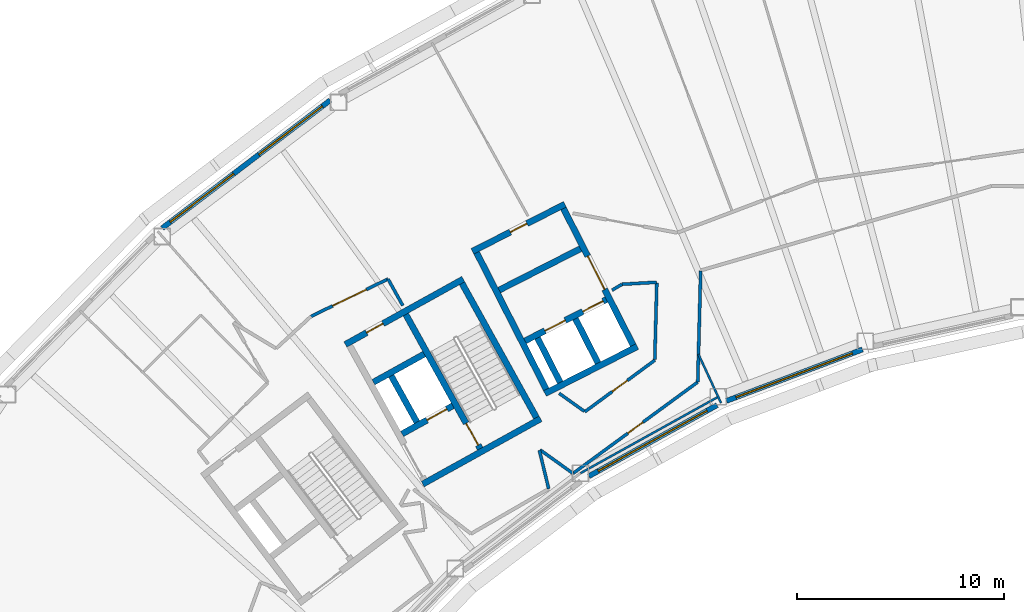
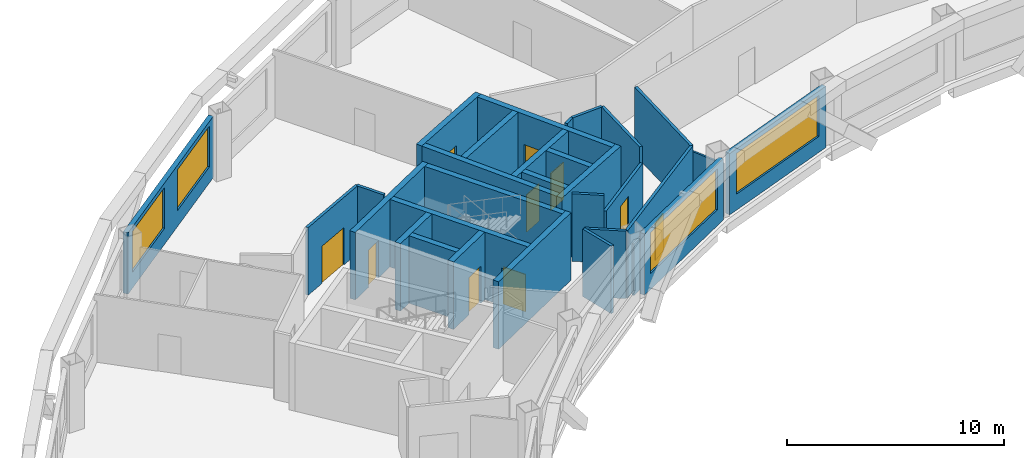
# One storey, part 6 of 18: 31 walls, 10 doors, 4 windows, 14 openings.
"""IFC4 building model written with IfcOpenShell, lengths in metres."""

from ifc_helpers import new_model, si_unit, direction, frame, frame_2d, origin, place, context, subcontext, project, spatial, rectangle, extrude, material, layer, layer_set, type_object, element, fill, save


model = new_model("IFC4")

# Units and contexts
model_context = context("Model", 3, precision=1e-05, world=origin(), true_north=direction((0.0, 1.0)))
body_context = subcontext(model_context, "Body", "Model", "MODEL_VIEW")
ifc_project = project(units=[si_unit("LENGTHUNIT", "METRE"), si_unit("AREAUNIT", "SQUARE_METRE"), si_unit("VOLUMEUNIT", "CUBIC_METRE"), si_unit("PLANEANGLEUNIT", "RADIAN"), si_unit("MASSUNIT", "GRAM", prefix="KILO")], contexts=[model_context])

# Site, building, storey
site_placement = place(None, origin())
site = spatial("IfcSite", under=ifc_project, at=site_placement, CompositionType="ELEMENT")
building_placement = place(site_placement, origin())
building = spatial("IfcBuilding", under=site, at=building_placement, Name="Tuul Gate Civic Tower", CompositionType="ELEMENT")
storey_placement = place(building_placement, frame((0.0, 0.0, 234.699951171875)))
storey = spatial("IfcBuildingStorey", under=building, at=storey_placement, Name="Level 53", CompositionType="ELEMENT", Elevation=234.699951171875)

# Wall
ifc_material_1 = material(Name="Concrete C50/60", Category="concrete")
ifc_layer_1 = layer(ifc_material_1, 0.300048828125)
ifc_layer_set_1 = layer_set([ifc_layer_1], Name="Concrete C50/60")
wall_type_1 = type_object("IfcWallType", Name="Core wall C50/60", PredefinedType="SHEAR", material=ifc_layer_set_1)
wall_1_placement = place(storey_placement, frame((-24.711669921875, -8.7158203125, 0.0), z_axis=(0.0, 0.0, 1.0), x_axis=(-0.874629909008, -0.484791215132, 0.0)))
element("IfcWall", 1, at=wall_1_placement, inside=storey, type_object=wall_type_1, Name="Core wall", PredefinedType="SHEAR", context=body_context, shape_type="SweptSolid", body=[
    extrude(rectangle(XDim=6.5, YDim=0.300048828125, at=frame_2d((3.25, 0.0))), origin(), (0.0, 0.0, 1.0), 3.800048828125),
])

# Wall, opening, door
wall_2_placement = place(storey_placement, frame((-28.94580078125, -8.090087890625, 0.0), z_axis=(0.0, 0.0, 1.0), x_axis=(-0.874629840737, -0.484791338301, 0.0)))
wall_2 = element("IfcWall", 2, at=wall_2_placement, inside=storey, type_object=wall_type_1, Name="Core wall", PredefinedType="SHEAR", context=body_context, shape_type="SweptSolid", body=[
    extrude(rectangle(XDim=2.800048828125, YDim=0.300048828125, at=frame_2d((1.39990234375, 0.0))), origin(), (0.0, 0.0, 1.0), 3.800048828125),
])
opening_1_placement = place(wall_2_placement, frame((0.324951171875, 0.0, 0.0)))
opening_1 = element("IfcOpeningElement", 3, at=opening_1_placement, cuts=wall_2, Name="Opening LD-FF-1", PredefinedType="OPENING", context=body_context, shape_type="SweptSolid", body=[
    extrude(rectangle(XDim=1.10009765625, YDim=2.10009765625, at=frame_2d((0.550048828125, 1.050048828125))), frame((0.0, 0.16015625, 0.0), z_axis=(0.0, -1.0, 0.0), x_axis=(1.0, 0.0, 0.0)), (0.0, 0.0, 1.0), 0.320068359375),
])
ifc_material_2 = material(Name="Stainless steel", Category="steel")
door_type_1 = type_object("IfcDoorType", Name="Landing door", OperationType="DOUBLE_DOOR_SLIDING", PredefinedType="DOOR", material=ifc_material_2)
door_1_placement = place(opening_1_placement, origin())
door_1 = element("IfcDoor", 4, at=door_1_placement, inside=storey, type_object=door_type_1, Name="Fire-fighting lift FF-1 landing door", OperationType="DOUBLE_DOOR_SLIDING", OverallHeight=2.10009765625, OverallWidth=1.10009765625, PredefinedType="DOOR", context=body_context, shape_type="SweptSolid", body=[
    extrude(rectangle(XDim=1.10009765625, YDim=2.10009765625, at=frame_2d((0.550048828125, 1.050048828125))), frame((0.0, 0.02490234375, 0.0), z_axis=(0.0, -1.0, 0.0), x_axis=(1.0, 0.0, 0.0)), (0.0, 0.0, 1.0), 0.050048828125),
])
fill(opening_1, door_1)

# Wall
wall_3_placement = place(storey_placement, frame((-30.327392578125, -5.59716796875, 0.0), z_axis=(0.0, 0.0, 1.0), x_axis=(-0.874629840737, -0.484791338301, 0.0)))
element("IfcWall", 5, at=wall_3_placement, inside=storey, type_object=wall_type_1, Name="Core wall", PredefinedType="SHEAR", context=body_context, shape_type="SweptSolid", body=[
    extrude(rectangle(XDim=2.800048828125, YDim=0.300048828125, at=frame_2d((1.39990234375, 0.0))), origin(), (0.0, 0.0, 1.0), 3.800048828125),
])

# Wall, opening, door
wall_4_placement = place(storey_placement, frame((-28.4443359375, -1.98095703125, 0.0), z_axis=(0.0, 0.0, 1.0), x_axis=(-0.874629909008, -0.484791215132, 0.0)))
wall_4 = element("IfcWall", 6, at=wall_4_placement, inside=storey, type_object=wall_type_1, Name="Core wall", PredefinedType="SHEAR", context=body_context, shape_type="SweptSolid", body=[
    extrude(rectangle(XDim=6.5, YDim=0.300048828125, at=frame_2d((3.25, 0.0))), origin(), (0.0, 0.0, 1.0), 3.800048828125),
])
opening_2_placement = place(wall_4_placement, frame((4.425048828125, 0.0, 0.0)))
opening_2 = element("IfcOpeningElement", 7, at=opening_2_placement, cuts=wall_4, Name="Opening S-D32", PredefinedType="OPENING", context=body_context, shape_type="SweptSolid", body=[
    extrude(rectangle(XDim=0.89990234375, YDim=2.10009765625, at=frame_2d((0.449951171875, 1.050048828125))), frame((0.0, 0.16015625, 0.0), z_axis=(0.0, -1.0, 0.0), x_axis=(1.0, 0.0, 0.0)), (0.0, 0.0, 1.0), 0.320068359375),
])
ifc_material_3 = material(Name="Timber door leaf", Category="wood")
door_type_2 = type_object("IfcDoorType", Name="Door D09", OperationType="NOTDEFINED", PredefinedType="DOOR", material=ifc_material_3)
door_2_placement = place(opening_2_placement, origin())
door_2 = element("IfcDoor", 8, at=door_2_placement, inside=storey, type_object=door_type_2, Name="Door S-D32", OperationType="SINGLE_SWING_LEFT", OverallHeight=2.10009765625, OverallWidth=0.89990234375, PredefinedType="DOOR", context=body_context, shape_type="SweptSolid", body=[
    extrude(rectangle(XDim=0.89990234375, YDim=2.10009765625, at=frame_2d((0.449951171875, 1.050048828125))), frame((0.0, 0.02490234375, 0.0), z_axis=(0.0, -1.0, 0.0), x_axis=(1.0, 0.0, 0.0)), (0.0, 0.0, 1.0), 0.050048828125),
])
fill(opening_2, door_2)

# Wall
wall_5_placement = place(storey_placement, frame((-24.91552734375, -8.6572265625, 0.0), z_axis=(0.0, 0.0, 1.0), x_axis=(-0.484777133038, 0.874637714304, 0.0)))
element("IfcWall", 9, at=wall_5_placement, inside=storey, type_object=wall_type_1, Name="Core wall", PredefinedType="SHEAR", context=body_context, shape_type="SweptSolid", body=[
    extrude(rectangle(XDim=7.400146484375, YDim=0.300048828125, at=frame_2d((3.7001953125, 0.0))), origin(), (0.0, 0.0, 1.0), 3.800048828125),
])

# Wall, opening, door
wall_6_placement = place(storey_placement, frame((-27.626953125, -10.16015625, 0.0), z_axis=(0.0, 0.0, 1.0), x_axis=(-0.484751894226, 0.874651702704, 0.0)))
wall_6 = element("IfcWall", 10, at=wall_6_placement, inside=storey, type_object=wall_type_1, Name="Core wall", PredefinedType="SHEAR", context=body_context, shape_type="SweptSolid", body=[
    extrude(rectangle(XDim=7.39990234375, YDim=0.300048828125, at=frame_2d((3.699951171875, 0.0))), origin(), (0.0, 0.0, 1.0), 3.800048828125),
])
opening_3_placement = place(wall_6_placement, frame((0.199951171875, 0.0, 0.0)))
opening_3 = element("IfcOpeningElement", 11, at=opening_3_placement, cuts=wall_6, Name="Opening SD-ST-2", PredefinedType="OPENING", context=body_context, shape_type="SweptSolid", body=[
    extrude(rectangle(XDim=1.199951171875, YDim=2.10009765625, at=frame_2d((0.60009765625, 1.050048828125))), frame((0.0, 0.16015625, 0.0), z_axis=(0.0, -1.0, 0.0), x_axis=(1.0, 0.0, 0.0)), (0.0, 0.0, 1.0), 0.320068359375),
])
ifc_material_4 = material(Name="Steel", Category="steel")
door_type_3 = type_object("IfcDoorType", Name="Stair door", OperationType="NOTDEFINED", PredefinedType="DOOR", material=ifc_material_4)
door_3_placement = place(opening_3_placement, origin())
door_3 = element("IfcDoor", 12, at=door_3_placement, inside=storey, type_object=door_type_3, Name="Stair door ST-2", OperationType="SINGLE_SWING_LEFT", OverallHeight=2.10009765625, OverallWidth=1.199951171875, PredefinedType="DOOR", context=body_context, shape_type="SweptSolid", body=[
    extrude(rectangle(XDim=1.199951171875, YDim=2.10009765625, at=frame_2d((0.60009765625, 1.050048828125))), frame((0.0, 0.02490234375, 0.0), z_axis=(0.0, -1.0, 0.0), x_axis=(1.0, 0.0, 0.0)), (0.0, 0.0, 1.0), 0.050048828125),
])
fill(opening_3, door_3)

# Walls
wall_7_placement = place(storey_placement, frame((-30.680419921875, -8.8798828125, 0.0), z_axis=(0.0, 0.0, 1.0), x_axis=(-0.484724115216, 0.874667097888, 0.0)))
element("IfcWall", 13, at=wall_7_placement, inside=storey, type_object=wall_type_1, Name="Core wall", PredefinedType="SHEAR", context=body_context, shape_type="SweptSolid", body=[
    extrude(rectangle(XDim=2.550048828125, YDim=0.300048828125, at=frame_2d((1.27490234375, 0.0))), origin(), (0.0, 0.0, 1.0), 3.800048828125),
])
ifc_material_5 = material(Name="Gypsum board partition")
ifc_layer_2 = layer(ifc_material_5, 0.14990234375)
ifc_layer_set_2 = layer_set([ifc_layer_2], Name="Gypsum board partition")
wall_type_2 = type_object("IfcWallType", Name="Corridor wall P150", PredefinedType="PARTITIONING", material=ifc_layer_set_2)
wall_8_placement = place(storey_placement, frame((-32.072509765625, -1.9736328125, 0.0), z_axis=(0.0, 0.0, 1.0), x_axis=(0.484595926022, -0.87473812566, 0.0)))
element("IfcWall", 14, at=wall_8_placement, inside=storey, type_object=wall_type_2, Name="p047", PredefinedType="PARTITIONING", context=body_context, shape_type="SweptSolid", body=[
    extrude(rectangle(XDim=1.465576171875, YDim=0.14990234375, at=frame_2d((0.73291015625, 0.0))), origin(), (0.0, 0.0, 1.0), 3.800048828125),
])

# Wall, opening, door
wall_9_placement = place(storey_placement, frame((-35.78857421875, -3.7783203125, 0.0), z_axis=(0.0, 0.0, 1.0), x_axis=(0.899532709815, 0.436853412454, 0.0)))
wall_9 = element("IfcWall", 15, at=wall_9_placement, inside=storey, type_object=wall_type_2, Name="p048", PredefinedType="PARTITIONING", context=body_context, shape_type="SweptSolid", body=[
    extrude(rectangle(XDim=4.131103515625, YDim=0.14990234375, at=frame_2d((2.0654296875, 0.0))), origin(), (0.0, 0.0, 1.0), 3.800048828125),
])
opening_4_placement = place(wall_9_placement, frame((1.16552734375, 0.0, 0.0)))
opening_4 = element("IfcOpeningElement", 16, at=opening_4_placement, cuts=wall_9, Name="Opening S-D11", PredefinedType="OPENING", context=body_context, shape_type="SweptSolid", body=[
    extrude(rectangle(XDim=1.800048828125, YDim=2.10009765625, at=frame_2d((0.89990234375, 1.050048828125))), frame((0.0, 0.0849609375, 0.0), z_axis=(0.0, -1.0, 0.0), x_axis=(1.0, 0.0, 0.0)), (0.0, 0.0, 1.0), 0.169921875),
])
ifc_material_6 = material(Name="Timber door leaf, double", Category="wood")
door_type_4 = type_object("IfcDoorType", Name="Door D18", OperationType="DOUBLE_DOOR_SINGLE_SWING", PredefinedType="DOOR", material=ifc_material_6)
door_4_placement = place(opening_4_placement, origin())
door_4 = element("IfcDoor", 17, at=door_4_placement, inside=storey, type_object=door_type_4, Name="Door S-D11", OperationType="DOUBLE_DOOR_SINGLE_SWING", OverallHeight=2.10009765625, OverallWidth=1.800048828125, PredefinedType="DOOR", context=body_context, shape_type="SweptSolid", body=[
    extrude(rectangle(XDim=1.800048828125, YDim=2.10009765625, at=frame_2d((0.89990234375, 1.050048828125))), frame((0.0, 0.02490234375, 0.0), z_axis=(0.0, -1.0, 0.0), x_axis=(1.0, 0.0, 0.0)), (0.0, 0.0, 1.0), 0.050048828125),
])
fill(opening_4, door_4)

# Walls
wall_10_placement = place(storey_placement, frame((-17.133544921875, -6.945556640625, 0.0), z_axis=(0.0, 0.0, 1.0), x_axis=(0.02632581314, 0.999653415721, 0.0)))
element("IfcWall", 18, at=wall_10_placement, inside=storey, type_object=wall_type_2, Name="p073", PredefinedType="PARTITIONING", context=body_context, shape_type="SweptSolid", body=[
    extrude(rectangle(XDim=5.36962890625, YDim=0.14990234375, at=frame_2d((2.684814453125, 0.0))), origin(), (0.0, 0.0, 1.0), 3.800048828125),
])
wall_11_placement = place(storey_placement, frame((-24.7724609375, -10.23681640625, 0.0), z_axis=(0.0, 0.0, 1.0), x_axis=(0.235297055879, -0.971923502903, 0.0)))
element("IfcWall", 19, at=wall_11_placement, inside=storey, type_object=wall_type_2, Name="p083", PredefinedType="PARTITIONING", context=body_context, shape_type="SweptSolid", body=[
    extrude(rectangle(XDim=1.914306640625, YDim=0.14990234375, at=frame_2d((0.95703125, 0.0))), origin(), (0.0, 0.0, 1.0), 3.800048828125),
])
wall_12_placement = place(storey_placement, frame((-24.740966796875, -10.215576171875, 0.0), z_axis=(0.0, 0.0, 1.0), x_axis=(0.813640696163, -0.581368056869, 0.0)))
element("IfcWall", 20, at=wall_12_placement, inside=storey, type_object=wall_type_2, Name="p084", PredefinedType="PARTITIONING", context=body_context, shape_type="SweptSolid", body=[
    extrude(rectangle(XDim=1.9560546875, YDim=0.14990234375, at=frame_2d((0.97802734375, 0.0))), origin(), (0.0, 0.0, 1.0), 3.800048828125),
])

# Wall, opening, door
wall_13_placement = place(storey_placement, frame((-23.148193359375, -11.352783203125, 0.0), z_axis=(0.0, 0.0, 1.0), x_axis=(0.806673519336, 0.590997320808, 0.0)))
wall_13 = element("IfcWall", 21, at=wall_13_placement, inside=storey, type_object=wall_type_2, Name="p085", PredefinedType="PARTITIONING", context=body_context, shape_type="SweptSolid", body=[
    extrude(rectangle(XDim=7.455322265625, YDim=0.14990234375, at=frame_2d((3.7275390625, 0.0))), origin(), (0.0, 0.0, 1.0), 3.800048828125),
])
opening_5_placement = place(wall_13_placement, frame((3.277587890625, 0.0, 0.0)))
opening_5 = element("IfcOpeningElement", 22, at=opening_5_placement, cuts=wall_13, Name="Opening S-D16", PredefinedType="OPENING", context=body_context, shape_type="SweptSolid", body=[
    extrude(rectangle(XDim=0.89990234375, YDim=2.10009765625, at=frame_2d((0.449951171875, 1.050048828125))), frame((0.0, 0.0849609375, 0.0), z_axis=(0.0, -1.0, 0.0), x_axis=(1.0, 0.0, 0.0)), (0.0, 0.0, 1.0), 0.169921875),
])
door_5_placement = place(opening_5_placement, origin())
door_5 = element("IfcDoor", 23, at=door_5_placement, inside=storey, type_object=door_type_2, Name="Door S-D16", OperationType="SINGLE_SWING_RIGHT", OverallHeight=2.10009765625, OverallWidth=0.89990234375, PredefinedType="DOOR", context=body_context, shape_type="SweptSolid", body=[
    extrude(rectangle(XDim=0.89990234375, YDim=2.10009765625, at=frame_2d((0.449951171875, 1.050048828125))), frame((0.0, 0.02490234375, 0.0), z_axis=(0.0, -1.0, 0.0), x_axis=(1.0, 0.0, 0.0)), (0.0, 0.0, 1.0), 0.050048828125),
])
fill(opening_5, door_5)

# Walls
wall_14_placement = place(storey_placement, frame((-21.265380859375, -2.5146484375, 0.0), z_axis=(0.0, 0.0, 1.0), x_axis=(0.859722737151, 0.510761015764, 0.0)))
element("IfcWall", 24, at=wall_14_placement, inside=storey, type_object=wall_type_2, Name="p086", PredefinedType="PARTITIONING", context=body_context, shape_type="SweptSolid", body=[
    extrude(rectangle(XDim=0.558349609375, YDim=0.14990234375, at=frame_2d((0.279296875, 0.0))), origin(), (0.0, 0.0, 1.0), 3.800048828125),
])
wall_15_placement = place(storey_placement, frame((-20.77880859375, -2.22705078125, 0.0), z_axis=(0.0, 0.0, 1.0), x_axis=(0.998413154832, 0.056313162397, 0.0)))
element("IfcWall", 25, at=wall_15_placement, inside=storey, type_object=wall_type_2, Name="p087", PredefinedType="PARTITIONING", context=body_context, shape_type="SweptSolid", body=[
    extrude(rectangle(XDim=1.65185546875, YDim=0.14990234375, at=frame_2d((0.825927734375, 0.0))), origin(), (0.0, 0.0, 1.0), 3.800048828125),
])
wall_16_placement = place(storey_placement, frame((-19.205810546875, -5.854248046875, 0.0), z_axis=(0.0, 0.0, 1.0), x_axis=(0.02638822069, 0.999651770272, 0.0)))
element("IfcWall", 26, at=wall_16_placement, inside=storey, type_object=wall_type_2, Name="p088", PredefinedType="PARTITIONING", context=body_context, shape_type="SweptSolid", body=[
    extrude(rectangle(XDim=3.70068359375, YDim=0.14990234375, at=frame_2d((1.850341796875, 0.0))), origin(), (0.0, 0.0, 1.0), 3.800048828125),
])
wall_17_placement = place(storey_placement, frame((-23.817626953125, -7.4892578125, 0.0), z_axis=(0.0, 0.0, 1.0), x_axis=(0.81367798996, -0.581315859628, 0.0)))
element("IfcWall", 27, at=wall_17_placement, inside=storey, type_object=wall_type_2, Name="p089", PredefinedType="PARTITIONING", context=body_context, shape_type="SweptSolid", body=[
    extrude(rectangle(XDim=1.48681640625, YDim=0.14990234375, at=frame_2d((0.743408203125, 0.0))), origin(), (0.0, 0.0, 1.0), 3.800048828125),
])

# Wall, opening, door
ifc_material_7 = material(Name="Gypsum board partition")
ifc_layer_3 = layer(ifc_material_7, 0.14990234375)
ifc_layer_set_3 = layer_set([ifc_layer_3], Name="Gypsum board partition")
wall_type_3 = type_object("IfcWallType", Name="Corridor wall P150 2900 HIGH", PredefinedType="PARTITIONING", material=ifc_layer_set_3)
wall_18_placement = place(storey_placement, frame((-22.585205078125, -8.384521484375, 0.0), z_axis=(0.0, 0.0, 1.0), x_axis=(0.804958106794, 0.593331649507, 0.0)))
wall_18 = element("IfcWall", 28, at=wall_18_placement, inside=storey, type_object=wall_type_3, Name="p077", PredefinedType="PARTITIONING", context=body_context, shape_type="SweptSolid", body=[
    extrude(rectangle(XDim=4.207275390625, YDim=0.14990234375, at=frame_2d((2.103515625, 0.0))), origin(), (0.0, 0.0, 1.0), 2.900146484375),
])
opening_6_placement = place(wall_18_placement, frame((1.653564453125, 0.0, 0.0)))
opening_6 = element("IfcOpeningElement", 29, at=opening_6_placement, cuts=wall_18, Name="Opening S-D17", PredefinedType="OPENING", context=body_context, shape_type="SweptSolid", body=[
    extrude(rectangle(XDim=0.89990234375, YDim=2.10009765625, at=frame_2d((0.449951171875, 1.050048828125))), frame((0.0, 0.0849609375, 0.0), z_axis=(0.0, -1.0, 0.0), x_axis=(1.0, 0.0, 0.0)), (0.0, 0.0, 1.0), 0.169921875),
])
door_6_placement = place(opening_6_placement, origin())
door_6 = element("IfcDoor", 30, at=door_6_placement, inside=storey, type_object=door_type_2, Name="Door S-D17", OperationType="SINGLE_SWING_RIGHT", OverallHeight=2.10009765625, OverallWidth=0.89990234375, PredefinedType="DOOR", context=body_context, shape_type="SweptSolid", body=[
    extrude(rectangle(XDim=0.89990234375, YDim=2.10009765625, at=frame_2d((0.449951171875, 1.050048828125))), frame((0.0, 0.02490234375, 0.0), z_axis=(0.0, -1.0, 0.0), x_axis=(1.0, 0.0, 0.0)), (0.0, 0.0, 1.0), 0.050048828125),
])
fill(opening_6, door_6)

# Wall, openings, windows
ifc_material_8 = material(Name="Precast concrete C40/50", Category="concrete")
ifc_layer_4 = layer(ifc_material_8, 0.25)
ifc_layer_set_4 = layer_set([ifc_layer_4], Name="Precast concrete C40/50")
wall_type_4 = type_object("IfcWallType", Name="External wall", PredefinedType="STANDARD", material=ifc_layer_set_4)
wall_19_placement = place(storey_placement, frame((-34.863037109375, 6.646728515625, 0.0), z_axis=(0.0, 0.0, 1.0), x_axis=(-0.795610476584, -0.605808525485, 0.0)))
wall_19 = element("IfcWall", 31, at=wall_19_placement, inside=storey, type_object=wall_type_4, Name="External wall", PredefinedType="STANDARD", context=body_context, shape_type="SweptSolid", body=[
    extrude(rectangle(XDim=10.1875, YDim=0.25, at=frame_2d((5.09375, 0.0))), origin(), (0.0, 0.0, 1.0), 3.449951171875),
])
opening_7_placement = place(wall_19_placement, frame((0.471923828125, 0.0, 0.89990234375)))
opening_7 = element("IfcOpeningElement", 32, at=opening_7_placement, cuts=wall_19, Name="Opening W22", PredefinedType="OPENING", context=body_context, shape_type="SweptSolid", body=[
    extrude(rectangle(XDim=3.85009765625, YDim=2.300048828125, at=frame_2d((1.925048828125, 1.14990234375))), frame((0.0, 0.135009765625, 0.0), z_axis=(0.0, -1.0, 0.0), x_axis=(1.0, 0.0, 0.0)), (0.0, 0.0, 1.0), 0.27001953125),
])
opening_8_placement = place(wall_19_placement, frame((5.84326171875, 0.0, 0.89990234375)))
opening_8 = element("IfcOpeningElement", 33, at=opening_8_placement, cuts=wall_19, Name="Opening W22", PredefinedType="OPENING", context=body_context, shape_type="SweptSolid", body=[
    extrude(rectangle(XDim=3.85009765625, YDim=2.300048828125, at=frame_2d((1.925048828125, 1.14990234375))), frame((0.0, 0.135009765625, 0.0), z_axis=(0.0, -1.0, 0.0), x_axis=(1.0, 0.0, 0.0)), (0.0, 0.0, 1.0), 0.27001953125),
])
ifc_material_9 = material(Name="Glass", Category="glass")
window_type_1 = type_object("IfcWindowType", Name="Window W22 3850 x 2300", PartitioningType="SINGLE_PANEL", PredefinedType="WINDOW", material=ifc_material_9)
window_1_placement = place(opening_7_placement, origin())
window_1 = element("IfcWindow", 34, at=window_1_placement, inside=storey, type_object=window_type_1, Name="Window", OverallHeight=2.300048828125, OverallWidth=3.85009765625, PartitioningType="SINGLE_PANEL", PredefinedType="WINDOW", context=body_context, shape_type="SweptSolid", body=[
    extrude(rectangle(XDim=3.85009765625, YDim=2.300048828125, at=frame_2d((1.925048828125, 1.14990234375))), frame((0.0, 0.030029296875, 0.0), z_axis=(0.0, -1.0, 0.0), x_axis=(1.0, 0.0, 0.0)), (0.0, 0.0, 1.0), 0.06005859375),
])
fill(opening_7, window_1)
window_2_placement = place(opening_8_placement, origin())
window_2 = element("IfcWindow", 35, at=window_2_placement, inside=storey, type_object=window_type_1, Name="Window", OverallHeight=2.300048828125, OverallWidth=3.85009765625, PartitioningType="SINGLE_PANEL", PredefinedType="WINDOW", context=body_context, shape_type="SweptSolid", body=[
    extrude(rectangle(XDim=3.85009765625, YDim=2.300048828125, at=frame_2d((1.925048828125, 1.14990234375))), frame((0.0, 0.030029296875, 0.0), z_axis=(0.0, -1.0, 0.0), x_axis=(1.0, 0.0, 0.0)), (0.0, 0.0, 1.0), 0.06005859375),
])
fill(opening_8, window_2)

# Wall, opening, window
wall_20_placement = place(storey_placement, frame((-22.386962890625, -11.48828125, 0.0), z_axis=(0.0, 0.0, 1.0), x_axis=(0.874628863521, 0.484793101328, 0.0)))
wall_20 = element("IfcWall", 36, at=wall_20_placement, inside=storey, type_object=wall_type_4, Name="External wall", PredefinedType="STANDARD", context=body_context, shape_type="SweptSolid", body=[
    extrude(rectangle(XDim=7.075439453125, YDim=0.25, at=frame_2d((3.53759765625, 0.0))), origin(), (0.0, 0.0, 1.0), 3.449951171875),
])
opening_9_placement = place(wall_20_placement, frame((0.51904296875, 0.0, 0.89990234375)))
opening_9 = element("IfcOpeningElement", 37, at=opening_9_placement, cuts=wall_20, Name="Opening W26", PredefinedType="OPENING", context=body_context, shape_type="SweptSolid", body=[
    extrude(rectangle(XDim=6.0, YDim=2.300048828125, at=frame_2d((3.0, 1.14990234375))), frame((0.0, 0.135009765625, 0.0), z_axis=(0.0, -1.0, 0.0), x_axis=(1.0, 0.0, 0.0)), (0.0, 0.0, 1.0), 0.27001953125),
])
ifc_material_10 = material(Name="Glass", Category="glass")
window_type_2 = type_object("IfcWindowType", Name="Window W26 6000 x 2300", PartitioningType="SINGLE_PANEL", PredefinedType="WINDOW", material=ifc_material_10)
window_3_placement = place(opening_9_placement, origin())
window_3 = element("IfcWindow", 38, at=window_3_placement, inside=storey, type_object=window_type_2, Name="Window", OverallHeight=2.300048828125, OverallWidth=6.0, PartitioningType="SINGLE_PANEL", PredefinedType="WINDOW", context=body_context, shape_type="SweptSolid", body=[
    extrude(rectangle(XDim=6.0, YDim=2.300048828125, at=frame_2d((3.0, 1.14990234375))), frame((0.0, 0.030029296875, 0.0), z_axis=(0.0, -1.0, 0.0), x_axis=(1.0, 0.0, 0.0)), (0.0, 0.0, 1.0), 0.06005859375),
])
fill(opening_9, window_3)

wall_21_placement = place(storey_placement, frame((-15.7470703125, -7.85400390625, 0.0), z_axis=(0.0, 0.0, 1.0), x_axis=(0.93536593895, 0.353681438943, 0.0)))
wall_21 = element("IfcWall", 39, at=wall_21_placement, inside=storey, type_object=wall_type_4, Name="External wall", PredefinedType="STANDARD", context=body_context, shape_type="SweptSolid", body=[
    extrude(rectangle(XDim=7.0146484375, YDim=0.25, at=frame_2d((3.50732421875, 0.0))), origin(), (0.0, 0.0, 1.0), 3.449951171875),
])
opening_10_placement = place(wall_21_placement, frame((0.491455078125, 0.0, 0.89990234375)))
opening_10 = element("IfcOpeningElement", 40, at=opening_10_placement, cuts=wall_21, Name="Opening W26", PredefinedType="OPENING", context=body_context, shape_type="SweptSolid", body=[
    extrude(rectangle(XDim=6.0, YDim=2.300048828125, at=frame_2d((3.0, 1.14990234375))), frame((0.0, 0.135009765625, 0.0), z_axis=(0.0, -1.0, 0.0), x_axis=(1.0, 0.0, 0.0)), (0.0, 0.0, 1.0), 0.27001953125),
])
window_4_placement = place(opening_10_placement, origin())
window_4 = element("IfcWindow", 41, at=window_4_placement, inside=storey, type_object=window_type_2, Name="Window", OverallHeight=2.300048828125, OverallWidth=6.0, PartitioningType="SINGLE_PANEL", PredefinedType="WINDOW", context=body_context, shape_type="SweptSolid", body=[
    extrude(rectangle(XDim=6.0, YDim=2.300048828125, at=frame_2d((3.0, 1.14990234375))), frame((0.0, 0.030029296875, 0.0), z_axis=(0.0, -1.0, 0.0), x_axis=(1.0, 0.0, 0.0)), (0.0, 0.0, 1.0), 0.06005859375),
])
fill(opening_10, window_4)

# Wall
ifc_material_11 = material(Name="Concrete C40/50", Category="concrete")
ifc_layer_5 = layer(ifc_material_11, 0.300048828125)
ifc_layer_set_5 = layer_set([ifc_layer_5], Name="Concrete C40/50")
wall_type_5 = type_object("IfcWallType", Name="Lift shaft wall C40/50", PredefinedType="STANDARD", material=ifc_layer_set_5)
wall_22_placement = place(storey_placement, frame((-20.049072265625, -5.232421875, 0.0), z_axis=(0.0, 0.0, 1.0), x_axis=(-0.891002976909, -0.453997461601, 0.0)))
element("IfcWall", 42, at=wall_22_placement, inside=storey, type_object=wall_type_5, Name="Shaft wall", PredefinedType="STANDARD", context=body_context, shape_type="SweptSolid", body=[
    extrude(rectangle(XDim=5.0, YDim=0.300048828125, at=frame_2d((2.5, 0.0))), origin(), (0.0, 0.0, 1.0), 3.800048828125),
])

# Wall, openings, doors
wall_23_placement = place(storey_placement, frame((-21.542236328125, -2.962890625, 0.0), z_axis=(0.0, 0.0, 1.0), x_axis=(-0.891005618941, -0.453992276384, 0.0)))
wall_23 = element("IfcWall", 43, at=wall_23_placement, inside=storey, type_object=wall_type_5, Name="Shaft wall", PredefinedType="STANDARD", context=body_context, shape_type="SweptSolid", body=[
    extrude(rectangle(XDim=4.39990234375, YDim=0.300048828125, at=frame_2d((2.199951171875, 0.0))), origin(), (0.0, 0.0, 1.0), 3.800048828125),
])
opening_11_placement = place(wall_23_placement, frame((0.175048828125, 0.0, 0.0)))
opening_11 = element("IfcOpeningElement", 44, at=opening_11_placement, cuts=wall_23, Name="Opening LD-M1", PredefinedType="OPENING", context=body_context, shape_type="SweptSolid", body=[
    extrude(rectangle(XDim=1.10009765625, YDim=2.10009765625, at=frame_2d((0.550048828125, 1.050048828125))), frame((0.0, 0.16015625, 0.0), z_axis=(0.0, -1.0, 0.0), x_axis=(1.0, 0.0, 0.0)), (0.0, 0.0, 1.0), 0.320068359375),
])
opening_12_placement = place(wall_23_placement, frame((2.22509765625, 0.0, 0.0)))
opening_12 = element("IfcOpeningElement", 45, at=opening_12_placement, cuts=wall_23, Name="Opening LD-M2", PredefinedType="OPENING", context=body_context, shape_type="SweptSolid", body=[
    extrude(rectangle(XDim=1.10009765625, YDim=2.10009765625, at=frame_2d((0.550048828125, 1.050048828125))), frame((0.0, 0.16015625, 0.0), z_axis=(0.0, -1.0, 0.0), x_axis=(1.0, 0.0, 0.0)), (0.0, 0.0, 1.0), 0.320068359375),
])
door_7_placement = place(opening_11_placement, origin())
door_7 = element("IfcDoor", 46, at=door_7_placement, inside=storey, type_object=door_type_1, Name="Mid-rise lift M1 landing door", OperationType="DOUBLE_DOOR_SLIDING", OverallHeight=2.10009765625, OverallWidth=1.10009765625, PredefinedType="DOOR", context=body_context, shape_type="SweptSolid", body=[
    extrude(rectangle(XDim=1.10009765625, YDim=2.10009765625, at=frame_2d((0.550048828125, 1.050048828125))), frame((0.0, 0.02490234375, 0.0), z_axis=(0.0, -1.0, 0.0), x_axis=(1.0, 0.0, 0.0)), (0.0, 0.0, 1.0), 0.050048828125),
])
fill(opening_11, door_7)
door_8_placement = place(opening_12_placement, origin())
door_8 = element("IfcDoor", 47, at=door_8_placement, inside=storey, type_object=door_type_1, Name="Mid-rise lift M2 landing door", OperationType="DOUBLE_DOOR_SLIDING", OverallHeight=2.10009765625, OverallWidth=1.10009765625, PredefinedType="DOOR", context=body_context, shape_type="SweptSolid", body=[
    extrude(rectangle(XDim=1.10009765625, YDim=2.10009765625, at=frame_2d((0.550048828125, 1.050048828125))), frame((0.0, 0.02490234375, 0.0), z_axis=(0.0, -1.0, 0.0), x_axis=(1.0, 0.0, 0.0)), (0.0, 0.0, 1.0), 0.050048828125),
])
fill(opening_12, door_8)

# Wall
wall_24_placement = place(storey_placement, frame((-22.790771484375, -0.5126953125, 0.0), z_axis=(0.0, 0.0, 1.0), x_axis=(-0.891005618941, -0.453992276384, 0.0)))
element("IfcWall", 48, at=wall_24_placement, inside=storey, type_object=wall_type_5, Name="Shaft wall", PredefinedType="STANDARD", context=body_context, shape_type="SweptSolid", body=[
    extrude(rectangle(XDim=4.39990234375, YDim=0.300048828125, at=frame_2d((2.199951171875, 0.0))), origin(), (0.0, 0.0, 1.0), 3.800048828125),
])

# Wall, opening, door
wall_25_placement = place(storey_placement, frame((-23.544921875, 1.62841796875, 0.0), z_axis=(0.0, 0.0, 1.0), x_axis=(-0.891002976909, -0.453997461601, 0.0)))
wall_25 = element("IfcWall", 49, at=wall_25_placement, inside=storey, type_object=wall_type_5, Name="Shaft wall", PredefinedType="STANDARD", context=body_context, shape_type="SweptSolid", body=[
    extrude(rectangle(XDim=5.0, YDim=0.300048828125, at=frame_2d((2.5, 0.0))), origin(), (0.0, 0.0, 1.0), 3.800048828125),
])
opening_13_placement = place(wall_25_placement, frame((2.050048828125, 0.0, 0.0)))
opening_13 = element("IfcOpeningElement", 50, at=opening_13_placement, cuts=wall_25, Name="Opening S-D37", PredefinedType="OPENING", context=body_context, shape_type="SweptSolid", body=[
    extrude(rectangle(XDim=0.89990234375, YDim=2.10009765625, at=frame_2d((0.449951171875, 1.050048828125))), frame((0.0, 0.16015625, 0.0), z_axis=(0.0, -1.0, 0.0), x_axis=(1.0, 0.0, 0.0)), (0.0, 0.0, 1.0), 0.320068359375),
])
door_9_placement = place(opening_13_placement, origin())
door_9 = element("IfcDoor", 51, at=door_9_placement, inside=storey, type_object=door_type_2, Name="Door S-D37", OperationType="SINGLE_SWING_LEFT", OverallHeight=2.10009765625, OverallWidth=0.89990234375, PredefinedType="DOOR", context=body_context, shape_type="SweptSolid", body=[
    extrude(rectangle(XDim=0.89990234375, YDim=2.10009765625, at=frame_2d((0.449951171875, 1.050048828125))), frame((0.0, 0.02490234375, 0.0), z_axis=(0.0, -1.0, 0.0), x_axis=(1.0, 0.0, 0.0)), (0.0, 0.0, 1.0), 0.050048828125),
])
fill(opening_13, door_9)

wall_26_placement = place(storey_placement, frame((-20.2509765625, -5.166748046875, 0.0), z_axis=(0.0, 0.0, 1.0), x_axis=(-0.45401029361, 0.89099643843, 0.0)))
wall_26 = element("IfcWall", 52, at=wall_26_placement, inside=storey, type_object=wall_type_5, Name="Shaft wall", PredefinedType="STANDARD", context=body_context, shape_type="SweptSolid", body=[
    extrude(rectangle(XDim=7.39990234375, YDim=0.300048828125, at=frame_2d((3.699951171875, 0.0))), origin(), (0.0, 0.0, 1.0), 3.800048828125),
])
opening_14_placement = place(wall_26_placement, frame((3.02490234375, 0.0, 0.0)))
opening_14 = element("IfcOpeningElement", 53, at=opening_14_placement, cuts=wall_26, Name="Opening LB-W3-LOBBY-1", PredefinedType="OPENING", context=body_context, shape_type="SweptSolid", body=[
    extrude(rectangle(XDim=1.800048828125, YDim=2.10009765625, at=frame_2d((0.89990234375, 1.050048828125))), frame((0.0, 0.16015625, 0.0), z_axis=(0.0, -1.0, 0.0), x_axis=(1.0, 0.0, 0.0)), (0.0, 0.0, 1.0), 0.320068359375),
])
ifc_material_12 = material(Name="Steel", Category="steel")
door_type_5 = type_object("IfcDoorType", Name="Lobby door", OperationType="DOUBLE_DOOR_SINGLE_SWING", PredefinedType="DOOR", material=ifc_material_12)
door_10_placement = place(opening_14_placement, origin())
door_10 = element("IfcDoor", 54, at=door_10_placement, inside=storey, type_object=door_type_5, Name="Lobby door W3-LOBBY", OperationType="DOUBLE_DOOR_SINGLE_SWING", OverallHeight=2.10009765625, OverallWidth=1.800048828125, PredefinedType="DOOR", context=body_context, shape_type="SweptSolid", body=[
    extrude(rectangle(XDim=1.800048828125, YDim=2.10009765625, at=frame_2d((0.89990234375, 1.050048828125))), frame((0.0, 0.02490234375, 0.0), z_axis=(0.0, -1.0, 0.0), x_axis=(1.0, 0.0, 0.0)), (0.0, 0.0, 1.0), 0.050048828125),
])
fill(opening_14, door_10)

# Walls
for number, where, z_axis, x_axis, name in (
    (55, (-21.94384765625, -6.029296875, 0.0), (0.0, 0.0, 1.0), (-0.45403702923, 0.890982814698, 0.0), "Shaft wall"),
    (56, (-23.770263671875, -6.960205078125, 0.0), (0.0, 0.0, 1.0), (-0.45399587725, 0.891003784189, 0.0), "Shaft wall"),
):
    element("IfcWall", number, at=place(storey_placement, frame(where, z_axis=z_axis, x_axis=x_axis)), inside=storey, type_object=wall_type_5, Name=name, PredefinedType="STANDARD", context=body_context, shape_type="SweptSolid", body=[
        extrude(rectangle(XDim=2.39990234375, YDim=0.300048828125, at=frame_2d((1.199951171875, 0.0))), origin(), (0.0, 0.0, 1.0), 3.800048828125),
    ])
wall_27_placement = place(storey_placement, frame((-24.438720703125, -7.300537109375, 0.0), z_axis=(0.0, 0.0, 1.0), x_axis=(-0.453984101083, 0.891009784438, 0.0)))
element("IfcWall", 57, at=wall_27_placement, inside=storey, type_object=wall_type_5, Name="Shaft wall", PredefinedType="STANDARD", context=body_context, shape_type="SweptSolid", body=[
    extrude(rectangle(XDim=7.399658203125, YDim=0.300048828125, at=frame_2d((3.69970703125, 0.0))), origin(), (0.0, 0.0, 1.0), 3.800048828125),
])
ifc_material_13 = material(Name="Gypsum board partition")
ifc_layer_6 = layer(ifc_material_13, 0.10009765625)
ifc_layer_set_6 = layer_set([ifc_layer_6], Name="Gypsum board partition")
wall_type_6 = type_object("IfcWallType", Name="Partition P100 2900 HIGH", PredefinedType="PARTITIONING", material=ifc_layer_set_6)
wall_28_placement = place(storey_placement, frame((-16.147216796875, -7.657958984375, 0.0), z_axis=(0.0, 0.0, 1.0), x_axis=(-0.874625634519, -0.484798926815, 0.0)))
element("IfcWall", 58, at=wall_28_placement, inside=storey, type_object=wall_type_6, Name="p092", PredefinedType="PARTITIONING", context=body_context, shape_type="SweptSolid", body=[
    extrude(rectangle(XDim=7.591064453125, YDim=0.10009765625, at=frame_2d((3.79541015625, 0.0))), origin(), (0.0, 0.0, 1.0), 2.900146484375),
])
ifc_material_14 = material(Name="Gypsum board partition")
ifc_layer_7 = layer(ifc_material_14, 0.10009765625)
ifc_layer_set_7 = layer_set([ifc_layer_7], Name="Gypsum board partition")
wall_type_7 = type_object("IfcWallType", Name="Partition P100 3000 HIGH", PredefinedType="PARTITIONING", material=ifc_layer_set_7)
wall_29_placement = place(storey_placement, frame((-17.09814453125, -5.604736328125, 0.0), z_axis=(0.0, 0.0, 1.0), x_axis=(0.420317360178, -0.90737716344, 0.0)))
element("IfcWall", 59, at=wall_29_placement, inside=storey, type_object=wall_type_7, Name="p068", PredefinedType="PARTITIONING", context=body_context, shape_type="SweptSolid", body=[
    extrude(rectangle(XDim=2.593505859375, YDim=0.10009765625, at=frame_2d((1.296875, 0.0))), origin(), (0.0, 0.0, 1.0), 3.0),
])

save(model, "model.ifc")
